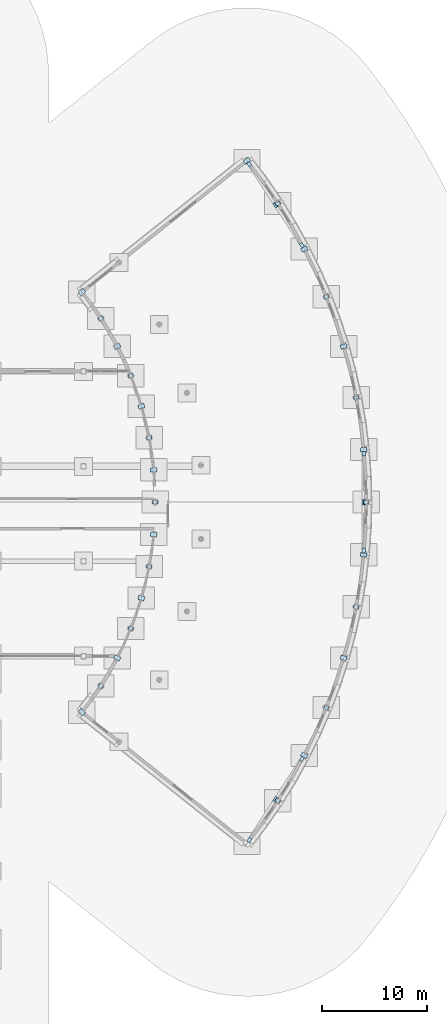
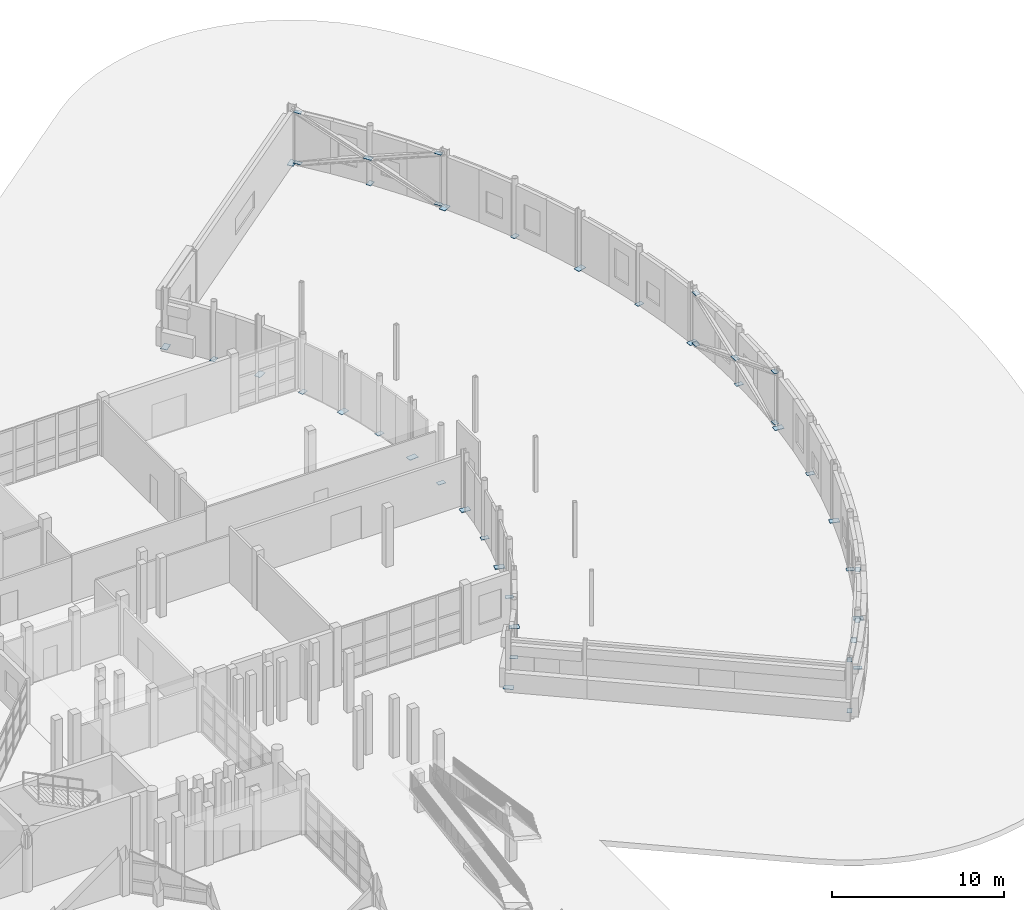
# One storey, part 55 of 88: 44 plates.
"""IFC4 building model written with IfcOpenShell, lengths in metres."""

import ifcopenshell
import ifcopenshell.guid

model = None  # the IFC model being written
_history = None  # IfcOwnerHistory: only IFC2X3 demands one
_inside = {}  # id of a spatial element -> (the spatial element, [elements in it])
_under = {}  # id of a project, library or spatial element -> (it, [spatial elements below it])
_declared = {}  # id of a project -> (the project, [libraries it declares])
_typed = {}  # id of a type object -> (the type object, [elements of that type])
_made_of = {}  # id of a material, layer set ... -> (it, [elements and type objects made of it])


def new_model(schema):
    """Start an empty IFC model of exactly this schema.

    Asked for "IFC4X3", IfcOpenShell would pick the latest addendum, in which some entities
    have other attributes; the version numbers below select the first issue.
    IFC2X3 requires an IfcOwnerHistory on every rooted entity: one is made here for all.
    """
    global model, _history
    if schema == "IFC4X3":
        model = ifcopenshell.file(schema_version=(4, 3, 0, 0))
    else:
        model = ifcopenshell.file(schema=schema)
    _inside.clear()
    _under.clear()
    _declared.clear()
    _typed.clear()
    _made_of.clear()
    _history = None
    if model.schema == "IFC2X3":
        org = make("IfcOrganization", Name="unknown")
        user = make(
            "IfcPersonAndOrganization",
            ThePerson=make("IfcPerson", FamilyName="unknown"),
            TheOrganization=org,
        )
        app = make(
            "IfcApplication",
            ApplicationDeveloper=org,
            Version="unknown",
            ApplicationFullName="unknown",
            ApplicationIdentifier="unknown",
        )
        _history = make(
            "IfcOwnerHistory",
            OwningUser=user,
            OwningApplication=app,
            ChangeAction="ADDED",
            CreationDate=0,
        )
    return model


def make(cls, **values):
    """One entity of the class cls with the attributes given. An attribute that is None is left unset."""
    return model.create_entity(
        cls, **{name: value for name, value in values.items() if value is not None}
    )


def rooted(cls, **values):
    """An entity with a GlobalId (a new one), such as an element, a storey or a relation."""
    return make(cls, GlobalId=ifcopenshell.guid.new(), OwnerHistory=_history, **values)


def si_unit(unit_type, name, prefix=None):
    """IfcSIUnit, for example si_unit("LENGTHUNIT", "METRE", prefix="MILLI")."""
    return make("IfcSIUnit", UnitType=unit_type, Prefix=prefix, Name=name)


def assignment(units):
    """IfcUnitAssignment: the units of a project."""
    return None if units is None else make("IfcUnitAssignment", Units=units)


def point(xyz):
    """IfcCartesianPoint."""
    return None if xyz is None else make("IfcCartesianPoint", Coordinates=xyz)


def direction(xyz):
    """IfcDirection."""
    return None if xyz is None else make("IfcDirection", DirectionRatios=xyz)


def frame(location, z_axis=None, x_axis=None):
    """IfcAxis2Placement3D, a coordinate frame: its origin and axes. An axis left out is left unset."""
    return make(
        "IfcAxis2Placement3D",
        Location=point(location),
        Axis=direction(z_axis),
        RefDirection=direction(x_axis),
    )


def frame_2d(location, x_axis=None):
    """IfcAxis2Placement2D, a coordinate frame in the plane: its origin and x axis."""
    return make(
        "IfcAxis2Placement2D", Location=point(location), RefDirection=direction(x_axis)
    )


def origin():
    """The frame at (0, 0, 0) with its axes left unset."""
    return frame((0.0, 0.0, 0.0))


def origin_2d():
    """The frame at (0, 0) in the plane with its x axis left unset."""
    return frame_2d((0.0, 0.0))


def place(relative_to, where):
    """IfcLocalPlacement: puts the frame where relative to a parent placement (None: the world)."""
    return make(
        "IfcLocalPlacement", PlacementRelTo=relative_to, RelativePlacement=where
    )


def context(
    kind, dimensions, precision=None, world=None, true_north=None, identifier=None
):
    """IfcGeometricRepresentationContext, for example the 3D "Model" context."""
    return make(
        "IfcGeometricRepresentationContext",
        ContextIdentifier=identifier,
        ContextType=kind,
        CoordinateSpaceDimension=dimensions,
        Precision=precision,
        WorldCoordinateSystem=world,
        TrueNorth=true_north,
    )


def subcontext(parent, identifier, kind, view, scale=None):
    """IfcGeometricRepresentationSubContext, for example "Body" below "Model"."""
    return make(
        "IfcGeometricRepresentationSubContext",
        ContextIdentifier=identifier,
        ContextType=kind,
        ParentContext=parent,
        TargetScale=scale,
        TargetView=view,
    )


def project(units=None, contexts=None):
    """IfcProject with its units and contexts."""
    return rooted(
        "IfcProject",
        Name="project",
        RepresentationContexts=contexts,
        UnitsInContext=assignment(units),
    )


def spatial(cls, under=None, at=None, **own):
    """A site, building, storey or space (cls), placed at a placement, below another one or the project."""
    s = rooted(cls, ObjectPlacement=at, **own)
    if under is not None:
        _under.setdefault(under.id(), (under, []))[1].append(s)
    return s


def profile(cls, at=None, kind="AREA", **sizes):
    """A parametric profile (cls). Its sizes go by their IFC names, for example OverallWidth=200.0."""
    return make(cls, ProfileType=kind, Position=at, **sizes)


def rectangle(**sizes):
    """IfcRectangleProfileDef."""
    return profile("IfcRectangleProfileDef", **sizes)


def extrude(swept, where, along, depth):
    """IfcExtrudedAreaSolid: the profile swept, set in the frame where, extruded along a direction by depth."""
    return make(
        "IfcExtrudedAreaSolid",
        SweptArea=swept,
        Position=where,
        ExtrudedDirection=direction(along),
        Depth=depth,
    )


def shape(context_of_items, identifier, shape_type, items):
    """IfcShapeRepresentation: the items that make up one representation, for example the "Body"."""
    return make(
        "IfcShapeRepresentation",
        ContextOfItems=context_of_items,
        RepresentationIdentifier=identifier,
        RepresentationType=shape_type,
        Items=items,
    )


def material(Name=None, Category=None):
    """IfcMaterial."""
    return make("IfcMaterial", Name=Name, Category=Category)


def layer(
    of_material, thickness, ventilated=None, Name=None, Category=None, Priority=None
):
    """IfcMaterialLayer: one layer of a wall or slab, of a material (None: an air gap)."""
    return make(
        "IfcMaterialLayer",
        Material=of_material,
        LayerThickness=thickness,
        IsVentilated=ventilated,
        Name=Name,
        Category=Category,
        Priority=Priority,
    )


def layer_set(layers, Name=None):
    """IfcMaterialLayerSet."""
    return make("IfcMaterialLayerSet", MaterialLayers=layers, LayerSetName=Name)


def made_of(thing, what):
    """Note that an element or type object is made of a material, layer set ...; save() writes the relation."""
    if what is not None:
        _made_of.setdefault(what.id(), (what, []))[1].append(thing)
    return thing


def type_object(cls, material=None, **own):
    """A type object (cls), such as IfcWallType, which elements share."""
    return made_of(rooted(cls, **own), material)


def element(
    cls,
    number,
    at=None,
    inside=None,
    cuts=None,
    type_object=None,
    material=None,
    context=None,
    identifier="Body",
    shape_type=None,
    held_by="IfcProductDefinitionShape",
    body=None,
    shapes=None,
    **own,
):
    """One element of the class cls, such as IfcWall. Its Tag is "e" and its number.

    at: its placement. inside: the storey or other place that contains it. cuts: it is an
    opening in that element (IfcRelVoidsElement). A single representation is given by context,
    identifier, shape_type and body (its items); several are given by shapes. held_by: the class
    of the entity that holds the representations. save() writes the other relations.
    """
    e = rooted(cls, Tag="e%d" % number, ObjectPlacement=at, **own)
    if body is not None:
        shapes = [shape(context, identifier, shape_type, body)]
    if shapes is not None:
        e.Representation = make(held_by, Representations=shapes)
    if inside is not None:
        _inside.setdefault(inside.id(), (inside, []))[1].append(e)
    if cuts is not None:
        rooted(
            "IfcRelVoidsElement", RelatingBuildingElement=cuts, RelatedOpeningElement=e
        )
    if type_object is not None:
        _typed.setdefault(type_object.id(), (type_object, []))[1].append(e)
    return made_of(e, material)


def aggregate(whole, parts):
    """IfcRelAggregates: a whole, such as a stair, and the parts it consists of."""
    return rooted("IfcRelAggregates", RelatingObject=whole, RelatedObjects=parts)


def save(model, path):
    """Write the relations noted so far, then the file.

    IfcRelAggregates (storeys below a building ...), IfcRelContainedInSpatialStructure (elements
    in a storey), IfcRelDefinesByType, IfcRelAssociatesMaterial and IfcRelDeclares: one each for
    every whole, place, type object, material and project.
    """
    for whole, parts in _under.values():
        aggregate(whole, parts)
    for where, things in _inside.values():
        rooted(
            "IfcRelContainedInSpatialStructure",
            RelatedElements=things,
            RelatingStructure=where,
        )
    for kind, things in _typed.values():
        rooted("IfcRelDefinesByType", RelatedObjects=things, RelatingType=kind)
    for what, things in _made_of.values():
        rooted("IfcRelAssociatesMaterial", RelatedObjects=things, RelatingMaterial=what)
    for by, libraries in _declared.values():
        rooted("IfcRelDeclares", RelatingContext=by, RelatedDefinitions=libraries)
    model.write(path)


model = new_model("IFC4")

# Units and contexts
model_context = context("Model", 3, precision=1e-05, world=origin(), true_north=direction((0.0, 1.0)))
body_context = subcontext(model_context, "Body", "Model", "MODEL_VIEW")
ifc_project = project(units=[si_unit("LENGTHUNIT", "METRE"), si_unit("AREAUNIT", "SQUARE_METRE"), si_unit("VOLUMEUNIT", "CUBIC_METRE"), si_unit("PLANEANGLEUNIT", "RADIAN"), si_unit("MASSUNIT", "GRAM", prefix="KILO")], contexts=[model_context])

# Site, building, storey
site_placement = place(None, origin())
site = spatial("IfcSite", under=ifc_project, at=site_placement, CompositionType="ELEMENT")
building_placement = place(site_placement, origin())
building = spatial("IfcBuilding", under=site, at=building_placement, Name="Vanh Quang Courtyard School", CompositionType="ELEMENT")
storey_placement = place(building_placement, origin())
storey = spatial("IfcBuildingStorey", under=building, at=storey_placement, Name="L00", CompositionType="ELEMENT", Elevation=0.0)

# Plates
ifc_material = material(Name="Structural steel EN 10025-2 S355J2", Category="steel")
ifc_layer_1 = layer(ifc_material, 0.02392578125)
ifc_layer_set_1 = layer_set([ifc_layer_1], Name="Structural steel EN 10025-2 S355J2")
plate_type_1 = type_object("IfcPlateType", Name="PLT-BASE-480x320x24", PredefinedType="SHEET", material=ifc_layer_set_1)
for number, where, z_axis, x_axis, name in (
    (1, (138.83740234375, 38.571533203125, 0.0), (0.0, 0.0, 1.0), (0.838670567945, -0.544639035015, 0.0), "Plate PB-03 (L00)"),
    (2, (141.669921875, 44.0126953125, 0.0), (0.0, 0.0, 1.0), (0.927183854567, -0.374606593416, 0.0), "Plate PB-03 (L00)"),
    (3, (143.412109375, 49.89404296875, 0.0), (0.0, 0.0, 1.0), (0.981627183448, -0.190808995377, 0.0), "Plate PB-03 (L00)"),
    (4, (144.0, 56.0, 0.0), (0.0, 0.0, 1.0), (1.0, 0.0, 0.0), "Plate PB-03 (L00)"),
    (5, (143.412109375, 62.10595703125, 0.0), (0.0, 0.0, 1.0), (0.981627183448, 0.190808995377, 0.0), "Plate PB-03 (L00)"),
    (6, (141.669921875, 67.9873046875, 0.0), (0.0, 0.0, 1.0), (0.927183854567, 0.374606593416, 0.0), "Plate PB-03 (L00)"),
    (7, (138.83740234375, 73.428466796875, 0.0), (0.0, 0.0, 1.0), (0.838670567945, 0.544639035015, 0.0), "Plate PB-03 (L00)"),
    (8, (155.61083984375, 27.6787109375, 0.0), (0.0, 0.0, 1.0), (0.838670567945, -0.544639035015, 0.0), "Plate PB-03 (L00)"),
    (9, (160.213623046875, 36.5205078125, 0.0), (0.0, 0.0, 1.0), (0.927183854567, -0.374606593416, 0.0), "Plate PB-03 (L00)"),
    (10, (163.044677734375, 46.077880859375, 0.0), (0.0, 0.0, 1.0), (0.981627183448, -0.190808995377, 0.0), "Plate PB-03 (L00)"),
    (11, (164.0, 56.0, 0.0), (0.0, 0.0, 1.0), (1.0, 0.0, 0.0), "Plate PB-03 (L00)"),
    (12, (163.044677734375, 65.922119140625, 0.0), (0.0, 0.0, 1.0), (0.981627183448, 0.190808995377, 0.0), "Plate PB-03 (L00)"),
    (13, (160.213623046875, 75.4794921875, 0.0), (0.0, 0.0, 1.0), (0.927183854567, 0.374606593416, 0.0), "Plate PB-03 (L00)"),
    (14, (155.61083984375, 84.3212890625, 0.0), (0.0, 0.0, 1.0), (0.838670567945, 0.544639035015, 0.0), "Plate PB-03 (L00)"),
):
    element("IfcPlate", number, at=place(storey_placement, frame(where, z_axis=z_axis, x_axis=x_axis)), inside=storey, type_object=plate_type_1, Name=name, PredefinedType="SHEET", context=body_context, shape_type="SweptSolid", body=[
        extrude(rectangle(XDim=0.47998046875, YDim=0.320068359375, at=origin_2d()), origin(), (0.0, 0.0, 1.0), 0.02392578125),
    ])
ifc_layer_2 = layer(ifc_material, 0.031982421875)
ifc_layer_set_2 = layer_set([ifc_layer_2], Name="Structural steel EN 10025-2 S355J2")
plate_type_2 = type_object("IfcPlateType", Name="PLT-BASE-600x400x32", PredefinedType="SHEET", material=ifc_layer_set_2)
for number, where, z_axis, x_axis, name in (
    (15, (137.04345703125, 36.07958984375, 0.0), (0.0, 0.0, 1.0), (0.782608156852, -0.622514636638, 0.0), "Plate PB-01 (L00)"),
    (16, (140.38427734375, 41.22412109375, 0.0), (0.0, 0.0, 1.0), (0.887010833178, -0.461748613235, 0.0), "Plate PB-01 (L00)"),
    (17, (142.68212890625, 46.91162109375, 0.0), (0.0, 0.0, 1.0), (0.958819734868, -0.284015344704, 0.0), "Plate PB-01 (L00)"),
    (18, (143.852783203125, 52.932861328125, 0.0), (0.0, 0.0, 1.0), (0.995396198367, -0.09584575252, 0.0), "Plate PB-01 (L00)"),
    (19, (143.852783203125, 59.067138671875, 0.0), (0.0, 0.0, 1.0), (0.995396198367, 0.09584575252, 0.0), "Plate PB-01 (L00)"),
    (20, (142.68212890625, 65.08837890625, 0.0), (0.0, 0.0, 1.0), (0.958819734868, 0.284015344704, 0.0), "Plate PB-01 (L00)"),
    (21, (140.38427734375, 70.77587890625, 0.0), (0.0, 0.0, 1.0), (0.887010833178, 0.461748613235, 0.0), "Plate PB-01 (L00)"),
    (22, (137.04345703125, 75.92041015625, 0.0), (0.0, 0.0, 1.0), (0.782608156852, 0.622514636638, 0.0), "Plate PB-01 (L00)"),
    (23, (158.12451171875, 31.989013671875, 0.0), (0.0, 0.0, 1.0), (0.887010833178, -0.461748613235, 0.0), "Plate PB-01 (L00)"),
    (24, (161.858642578125, 41.231201171875, 0.0), (0.0, 0.0, 1.0), (0.958819734868, -0.284015344704, 0.0), "Plate PB-01 (L00)"),
    (25, (163.760498046875, 51.01611328125, 0.0), (0.0, 0.0, 1.0), (0.995396198367, -0.09584575252, 0.0), "Plate PB-01 (L00)"),
    (26, (163.760498046875, 60.98388671875, 0.0), (0.0, 0.0, 1.0), (0.995396198367, 0.09584575252, 0.0), "Plate PB-01 (L00)"),
    (27, (161.858642578125, 70.768798828125, 0.0), (0.0, 0.0, 1.0), (0.958819734868, 0.284015344704, 0.0), "Plate PB-01 (L00)"),
    (28, (158.12451171875, 80.010986328125, 0.0), (0.0, 0.0, 1.0), (0.887010833178, 0.461748613235, 0.0), "Plate PB-01 (L00)"),
    (29, (152.695556640625, 88.370849609375, 0.0), (0.0, 0.0, 1.0), (0.782608156852, 0.622514636638, 0.0), "Plate PB-01 (L00)"),
):
    element("IfcPlate", number, at=place(storey_placement, frame(where, z_axis=z_axis, x_axis=x_axis)), inside=storey, type_object=plate_type_2, Name=name, PredefinedType="SHEET", context=body_context, shape_type="SweptSolid", body=[
        extrude(rectangle(XDim=0.60009765625, YDim=0.39990234375, at=origin_2d()), origin(), (0.0, 0.0, 1.0), 0.031982421875),
    ])
ifc_layer_3 = layer(ifc_material, 0.01611328125)
ifc_layer_set_3 = layer_set([ifc_layer_3], Name="Structural steel EN 10025-2 S355J2")
plate_type_3 = type_object("IfcPlateType", Name="PLT-GUS-450x300x16", PredefinedType="USERDEFINED", material=ifc_layer_set_3)
for number, where, z_axis, x_axis, name in (
    (30, (152.912841796875, 23.963623046875, 0.148681640625), (0.0, 0.0, 1.0), (0.544639035015, 0.838670567945, 0.0), "Plate PG-02 (L00)"),
    (31, (157.907470703125, 31.65478515625, 0.148681640625), (0.0, 0.0, 1.0), (0.544639035015, 0.838670567945, 0.0), "Plate PG-02 (L00)"),
    (32, (152.912841796875, 23.963623046875, 3.755126953125), (0.0, 0.0, 1.0), (0.544639035015, 0.838670567945, 0.0), "Plate PG-02 (L00)"),
    (33, (157.907470703125, 31.65478515625, 3.755126953125), (0.0, 0.0, 1.0), (0.544639035015, 0.838670567945, 0.0), "Plate PG-02 (L00)"),
    (34, (163.760498046875, 51.414794921875, 0.148681640625), (0.0, 0.0, 1.0), (0.0, 1.0, 0.0), "Plate PG-02 (L00)"),
    (35, (163.760498046875, 60.585205078125, 0.148681640625), (0.0, 0.0, 1.0), (0.0, 1.0, 0.0), "Plate PG-02 (L00)"),
    (36, (163.760498046875, 51.414794921875, 3.755126953125), (0.0, 0.0, 1.0), (0.0, 1.0, 0.0), "Plate PG-02 (L00)"),
    (37, (163.760498046875, 60.585205078125, 3.755126953125), (0.0, 0.0, 1.0), (0.0, 1.0, 0.0), "Plate PG-02 (L00)"),
    (38, (157.907470703125, 80.34521484375, 0.148681640625), (0.0, 0.0, 1.0), (-0.544639035015, 0.838670567945, 0.0), "Plate PG-02 (L00)"),
    (39, (152.912841796875, 88.036376953125, 0.148681640625), (0.0, 0.0, 1.0), (-0.544639035015, 0.838670567945, 0.0), "Plate PG-02 (L00)"),
    (40, (157.907470703125, 80.34521484375, 3.755126953125), (0.0, 0.0, 1.0), (-0.544639035015, 0.838670567945, 0.0), "Plate PG-02 (L00)"),
    (41, (152.912841796875, 88.036376953125, 3.755126953125), (0.0, 0.0, 1.0), (-0.544639035015, 0.838670567945, 0.0), "Plate PG-02 (L00)"),
):
    element("IfcPlate", number, at=place(storey_placement, frame(where, z_axis=z_axis, x_axis=x_axis)), inside=storey, type_object=plate_type_3, Name=name, ObjectType="GUSSET_PLATE", PredefinedType="USERDEFINED", context=body_context, shape_type="SweptSolid", body=[
        extrude(rectangle(XDim=0.449951171875, YDim=0.300048828125, at=origin_2d()), origin(), (0.0, 0.0, 1.0), 0.01611328125),
    ])
ifc_layer_4 = layer(ifc_material, 0.02001953125)
ifc_layer_set_4 = layer_set([ifc_layer_4], Name="Structural steel EN 10025-2 S355J2")
plate_type_4 = type_object("IfcPlateType", Name="PLT-GUS-520x340x20", PredefinedType="USERDEFINED", material=ifc_layer_set_4)
for number, where, z_axis, x_axis, name in (
    (42, (155.41015625, 27.80908203125, 1.949951171875), (0.0, 0.0, 1.0), (0.544639035015, 0.838670567945, 0.0), "Plate PG-01 (L00)"),
    (43, (163.760498046875, 56.0, 1.949951171875), (0.0, 0.0, 1.0), (0.0, 1.0, 0.0), "Plate PG-01 (L00)"),
    (44, (155.41015625, 84.19091796875, 1.949951171875), (0.0, 0.0, 1.0), (-0.544639035015, 0.838670567945, 0.0), "Plate PG-01 (L00)"),
):
    element("IfcPlate", number, at=place(storey_placement, frame(where, z_axis=z_axis, x_axis=x_axis)), inside=storey, type_object=plate_type_4, Name=name, ObjectType="GUSSET_PLATE", PredefinedType="USERDEFINED", context=body_context, shape_type="SweptSolid", body=[
        extrude(rectangle(XDim=0.52001953125, YDim=0.340087890625, at=origin_2d()), origin(), (0.0, 0.0, 1.0), 0.02001953125),
    ])

save(model, "model.ifc")
